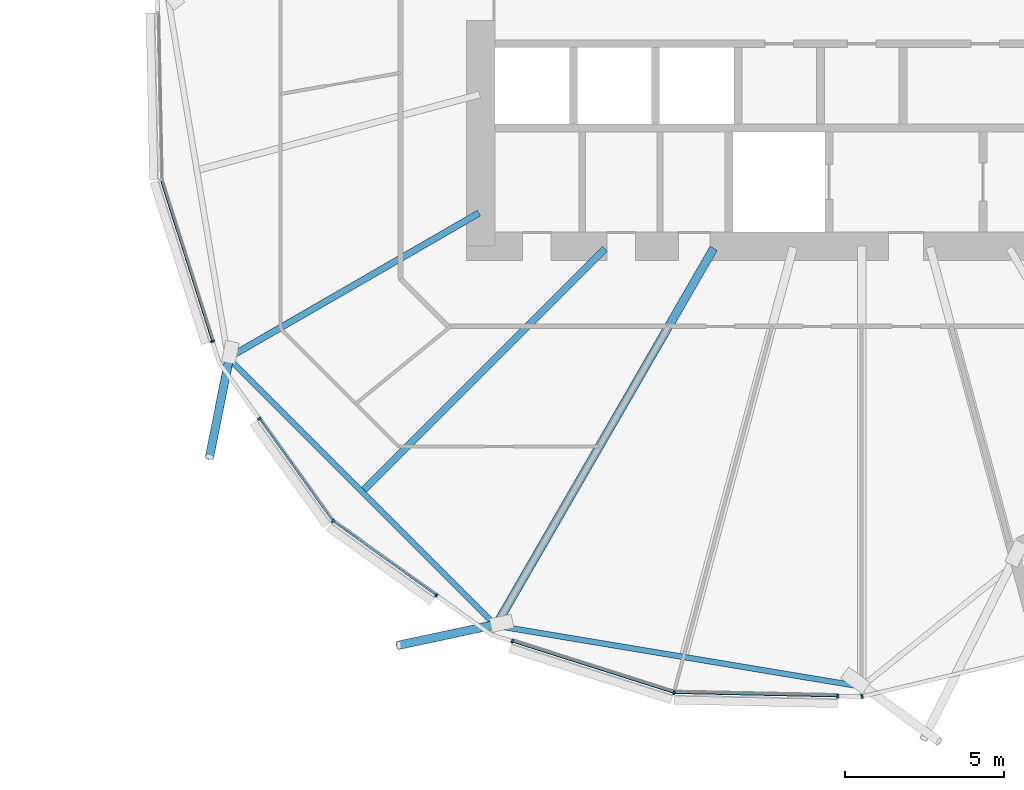
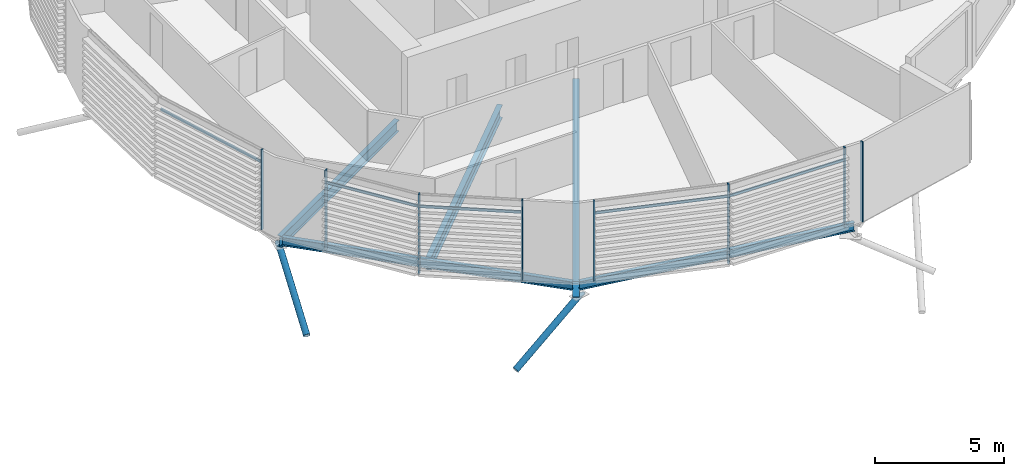
# One storey, part 11 of 38: 15 members, 5 beams, 1 element without a shape of its own.
"""IFC4 building model written with IfcOpenShell, lengths in metres."""

from ifc_helpers import new_model, si_unit, direction, frame, origin, origin_2d, place, context, subcontext, project, spatial, rectangle, hollow_circle, i_section, extrude, clip, halfspace, material, material_profile, profile_set, type_object, element, aggregate, save


model = new_model("IFC4")

# Units and contexts
model_context = context("Model", 3, precision=1e-05, world=origin(), true_north=direction((0.0, 1.0)))
body_context = subcontext(model_context, "Body", "Model", "MODEL_VIEW")
ifc_project = project(units=[si_unit("LENGTHUNIT", "METRE"), si_unit("AREAUNIT", "SQUARE_METRE"), si_unit("VOLUMEUNIT", "CUBIC_METRE"), si_unit("PLANEANGLEUNIT", "RADIAN"), si_unit("MASSUNIT", "GRAM", prefix="KILO")], contexts=[model_context])

# Site, building, storey
site_placement = place(None, origin())
site = spatial("IfcSite", under=ifc_project, at=site_placement, CompositionType="ELEMENT")
building_placement = place(site_placement, origin())
building = spatial("IfcBuilding", under=site, at=building_placement, Name="Rimbun Link Towers", CompositionType="ELEMENT")
storey_placement = place(building_placement, frame((0.0, 0.0, 71.800048828125)))
storey = spatial("IfcBuildingStorey", under=building, at=storey_placement, Name="L17", CompositionType="ELEMENT", Elevation=71.800048828125)

# Curtain wall, members
ifc_material_1 = material(Name="Aluminium 6063-T6 and low-iron glass", Category="aluminium")
curtain_wall_type = type_object("IfcCurtainWallType", Name="CW1 unitised vision wall", PredefinedType="NOTDEFINED", material=ifc_material_1)
curtain_wall_placement = place(storey_placement, origin())
curtain_wall = element("IfcCurtainWall", 1, at=curtain_wall_placement, inside=storey, type_object=curtain_wall_type, Name="CW1 L17 T2", PredefinedType="NOTDEFINED")
ifc_material_2 = material(Name="Aluminium 6063-T6", Category="aluminium")
ifc_material_profile_1 = material_profile(ifc_material_2, rectangle(XDim=0.1201171875, YDim=0.06005859375, at=origin_2d()), Name="MULLION 60X120")
ifc_profile_set_1 = profile_set([ifc_material_profile_1], Name="Aluminium 6063-T6")
member_type_1 = type_object("IfcMemberType", Name="CW1 mullion 60X120", PredefinedType="MULLION", material=ifc_profile_set_1)
member_1_placement = place(storey_placement, frame((11.30517578125, -10.99951171875, 0.0), z_axis=(0.0, 0.0, 1.0), x_axis=(-0.952969504125, -0.30306620433, 0.0)))
member_1 = element("IfcMember", 2, at=member_1_placement, type_object=member_type_1, Name="CW1 mullion", PredefinedType="MULLION", context=body_context, shape_type="SweptSolid", body=[
    extrude(rectangle(XDim=0.1201171875, YDim=0.06005859375, at=origin_2d()), origin(), (0.0, 0.0, 1.0), 3.800048828125),
])
member_2_placement = place(storey_placement, frame((15.094482421875, -16.655517578125, 0.0), z_axis=(0.0, 0.0, 1.0), x_axis=(-0.707106781187, -0.707106781187, 0.0)))
member_2 = element("IfcMember", 3, at=member_2_placement, type_object=member_type_1, Name="CW1 mullion", PredefinedType="MULLION", context=body_context, shape_type="SweptSolid", body=[
    extrude(rectangle(XDim=0.1201171875, YDim=0.06005859375, at=origin_2d()), origin(), (0.0, 0.0, 1.0), 3.800048828125),
])
member_3_placement = place(storey_placement, frame((12.779296875, -13.43017578125, 0.0), z_axis=(0.0, 0.0, 1.0), x_axis=(-0.812471013588, -0.583001588402, 0.0)))
member_3 = element("IfcMember", 4, at=member_3_placement, type_object=member_type_1, Name="CW1 mullion", PredefinedType="MULLION", context=body_context, shape_type="SweptSolid", body=[
    extrude(rectangle(XDim=0.1201171875, YDim=0.06005859375, at=origin_2d()), origin(), (0.0, 0.0, 1.0), 3.800048828125),
])
member_4_placement = place(storey_placement, frame((18.360595703125, -19.0, 0.0), z_axis=(0.0, 0.0, 1.0), x_axis=(-0.583001588402, -0.812471013588, 0.0)))
member_4 = element("IfcMember", 5, at=member_4_placement, type_object=member_type_1, Name="CW1 mullion", PredefinedType="MULLION", context=body_context, shape_type="SweptSolid", body=[
    extrude(rectangle(XDim=0.1201171875, YDim=0.06005859375, at=origin_2d()), origin(), (0.0, 0.0, 1.0), 3.800048828125),
])
member_5_placement = place(storey_placement, frame((25.843994140625, -22.06396484375, 0.0), z_axis=(0.0, 0.0, 1.0), x_axis=(-0.16374422533, -0.986502827503, 0.0)))
member_5 = element("IfcMember", 6, at=member_5_placement, type_object=member_type_1, Name="CW1 mullion", PredefinedType="MULLION", context=body_context, shape_type="SweptSolid", body=[
    extrude(rectangle(XDim=0.1201171875, YDim=0.06005859375, at=origin_2d()), origin(), (0.0, 0.0, 1.0), 3.800048828125),
])
member_6_placement = place(storey_placement, frame((20.75048828125, -20.44482421875, 0.0), z_axis=(0.0, 0.0, 1.0), x_axis=(-0.30306620433, -0.952969504125, 0.0)))
member_6 = element("IfcMember", 7, at=member_6_placement, type_object=member_type_1, Name="CW1 mullion", PredefinedType="MULLION", context=body_context, shape_type="SweptSolid", body=[
    extrude(rectangle(XDim=0.1201171875, YDim=0.06005859375, at=origin_2d()), origin(), (0.0, 0.0, 1.0), 3.800048828125),
])
member_7_placement = place(storey_placement, frame((30.9990234375, -22.173095703125, 0.0), z_axis=(0.0, 0.0, 1.0), x_axis=(-0.021059742681, -0.999778219026, 0.0)))
member_7 = element("IfcMember", 8, at=member_7_placement, type_object=member_type_1, Name="CW1 mullion", PredefinedType="MULLION", context=body_context, shape_type="SweptSolid", body=[
    extrude(rectangle(XDim=0.1201171875, YDim=0.06005859375, at=origin_2d()), origin(), (0.0, 0.0, 1.0), 3.800048828125),
])
member_8_placement = place(storey_placement, frame((31.763916015625, -22.187255859375, 0.0), z_axis=(0.0, 0.0, 1.0), x_axis=(0.232601207201, -0.972572197016, 0.0)))
member_8 = element("IfcMember", 9, at=member_8_placement, type_object=member_type_1, Name="CW1 mullion", PredefinedType="MULLION", context=body_context, shape_type="SweptSolid", body=[
    extrude(rectangle(XDim=0.1201171875, YDim=0.06005859375, at=origin_2d()), origin(), (0.0, 0.0, 1.0), 3.800048828125),
])
ifc_material_3 = material(Name="Aluminium 6063-T6", Category="aluminium")
ifc_material_profile_2 = material_profile(ifc_material_3, rectangle(XDim=0.06005859375, YDim=0.1201171875, at=origin_2d()), Name="TRANSOM 60X120")
ifc_profile_set_2 = profile_set([ifc_material_profile_2], Name="Aluminium 6063-T6")
member_type_2 = type_object("IfcMemberType", Name="CW1 transom 60X120", PredefinedType="USERDEFINED", material=ifc_profile_set_2)
member_9_placement = place(storey_placement, frame((11.298095703125, -10.97021484375, 3.199951171875), z_axis=(-0.303092876112, 0.952961021475, 0.0), x_axis=(-0.952961021475, -0.303092876112, 0.0)))
member_9 = element("IfcMember", 10, at=member_9_placement, type_object=member_type_2, Name="CW1 transom", ObjectType="TRANSOM", PredefinedType="USERDEFINED", context=body_context, shape_type="SweptSolid", body=[
    extrude(rectangle(XDim=0.06005859375, YDim=0.1201171875, at=origin_2d()), origin(), (0.0, 0.0, 1.0), 5.276123046875),
])
member_10_placement = place(storey_placement, frame((15.072265625, -16.62255859375, 3.199951171875), z_axis=(-0.582971655835, 0.812492491346, 0.0), x_axis=(-0.812492491346, -0.582971655835, 0.0)))
member_10 = element("IfcMember", 11, at=member_10_placement, type_object=member_type_2, Name="CW1 transom", ObjectType="TRANSOM", PredefinedType="USERDEFINED", context=body_context, shape_type="SweptSolid", body=[
    extrude(rectangle(XDim=0.06005859375, YDim=0.1201171875, at=origin_2d()), origin(), (0.0, 0.0, 1.0), 3.900634765625),
])
member_11_placement = place(storey_placement, frame((18.33740234375, -18.980712890625, 3.199951171875), z_axis=(-0.812516616043, 0.582938031574, 0.0), x_axis=(-0.582938031574, -0.812516616043, 0.0)))
member_11 = element("IfcMember", 12, at=member_11_placement, type_object=member_type_2, Name="CW1 transom", ObjectType="TRANSOM", PredefinedType="USERDEFINED", context=body_context, shape_type="SweptSolid", body=[
    extrude(rectangle(XDim=0.06005859375, YDim=0.1201171875, at=origin_2d()), origin(), (0.0, 0.0, 1.0), 3.95068359375),
])
member_12_placement = place(storey_placement, frame((25.8076171875, -22.051025390625, 3.199951171875), z_axis=(-0.952961021475, 0.303092876112, 0.0), x_axis=(-0.303092876112, -0.952961021475, 0.0)))
member_12 = element("IfcMember", 13, at=member_12_placement, type_object=member_type_2, Name="CW1 transom", ObjectType="TRANSOM", PredefinedType="USERDEFINED", context=body_context, shape_type="SweptSolid", body=[
    extrude(rectangle(XDim=0.06005859375, YDim=0.1201171875, at=origin_2d()), origin(), (0.0, 0.0, 1.0), 5.276123046875),
])
member_13_placement = place(storey_placement, frame((30.968994140625, -22.170654296875, 3.199951171875), z_axis=(-0.999778073515, 0.021066649432, 0.0), x_axis=(-0.021066649432, -0.999778073515, 0.0)))
member_13 = element("IfcMember", 14, at=member_13_placement, type_object=member_type_2, Name="CW1 transom", ObjectType="TRANSOM", PredefinedType="USERDEFINED", context=body_context, shape_type="SweptSolid", body=[
    extrude(rectangle(XDim=0.06005859375, YDim=0.1201171875, at=origin_2d()), origin(), (0.0, 0.0, 1.0), 5.087646484375),
])
aggregate(curtain_wall, [member_1, member_2, member_3, member_4, member_5, member_6, member_7, member_8, member_9, member_10, member_11, member_12, member_13])

# Members
ifc_material_4 = material(Name="Steel S355J2H", Category="steel")
ifc_material_profile_3 = material_profile(ifc_material_4, hollow_circle(Radius=0.136474609375, WallThickness=0.012451171875, at=origin_2d()), Name="CHS 273x12.5")
ifc_profile_set_3 = profile_set([ifc_material_profile_3], Name="Steel S355J2H")
member_type_3 = type_object("IfcMemberType", Name="Floor edge link CHS 273x12.5", PredefinedType="BRACE", material=ifc_profile_set_3)
member_14_placement = place(storey_placement, frame((11.839599609375, -11.495361328125, -0.8095703125), z_axis=(-0.166274405104, -0.834148646652, -0.525879128219), x_axis=(0.980706031081, -0.195488313209, 0.0)))
element("IfcMember", 15, at=member_14_placement, inside=storey, type_object=member_type_3, Name="Floor edge link T2 L17 11", PredefinedType="BRACE", context=body_context, shape_type="Clipping", body=[
    clip(extrude(hollow_circle(Radius=0.136474609375, WallThickness=0.012451171875, at=origin_2d()), frame((0.0, 0.0, -0.460693359375)), (0.0, 0.0, 1.0), 4.241455078125), halfspace(frame((0.0, 0.0, -0.217529296875), z_axis=(0.0, 0.850559311573, -0.525879128219)), False)),
])
member_15_placement = place(storey_placement, frame((20.254638671875, -19.910400390625, -1.039794921875), z_axis=(-0.840867888406, -0.179570004253, -0.510583791185), x_axis=(0.20884409898, -0.977948946684, 0.0)))
element("IfcMember", 16, at=member_15_placement, inside=storey, type_object=member_type_3, Name="Floor edge link T2 L17 13", PredefinedType="BRACE", context=body_context, shape_type="Clipping", body=[
    clip(extrude(hollow_circle(Radius=0.136474609375, WallThickness=0.012451171875, at=origin_2d()), frame((0.0, 0.0, -0.479248046875)), (0.0, 0.0, 1.0), 4.15966796875), halfspace(frame((0.0, 0.0, -0.226318359375), z_axis=(0.0, 0.859828001509, -0.510583791185)), False)),
])

# Beams
ifc_material_5 = material(Name="Steel S355J2", Category="steel")
ifc_material_profile_4 = material_profile(ifc_material_5, i_section(OverallWidth=0.177978515625, OverallDepth=0.406494140625, WebThickness=0.0078125, FlangeThickness=0.0126953125, at=origin_2d()), Name="UB 406x178x60")
ifc_profile_set_4 = profile_set([ifc_material_profile_4], Name="Steel S355J2")
beam_type_1 = type_object("IfcBeamType", Name="UB 406x178x60", PredefinedType="BEAM", material=ifc_profile_set_4)
beam_1_placement = place(storey_placement, frame((11.87353515625, -11.59765625, -0.36328125), z_axis=(0.707106781187, -0.707106781187, 0.0), x_axis=(0.707106781187, 0.707106781187, 0.0)))
element("IfcBeam", 17, at=beam_1_placement, inside=storey, type_object=beam_type_1, Name="Edge beam T2 L17 11-13", PredefinedType="BEAM", context=body_context, shape_type="SweptSolid", body=[
    extrude(i_section(OverallWidth=0.177978515625, OverallDepth=0.406494140625, WebThickness=0.0078125, FlangeThickness=0.0126953125, at=origin_2d()), origin(), (0.0, 0.0, 1.0), 11.67822265625),
])
beam_2_placement = place(storey_placement, frame((20.37109375, -19.977294921875, -0.36328125), z_axis=(0.986419380736, -0.164246172888, 0.0), x_axis=(0.164246172888, 0.986419380736, 0.0)))
element("IfcBeam", 18, at=beam_2_placement, inside=storey, type_object=beam_type_1, Name="Edge beam T2 L17 13-15", PredefinedType="BEAM", context=body_context, shape_type="SweptSolid", body=[
    extrude(i_section(OverallWidth=0.177978515625, OverallDepth=0.406494140625, WebThickness=0.0078125, FlangeThickness=0.0126953125, at=origin_2d()), origin(), (0.0, 0.0, 1.0), 11.3994140625),
])
ifc_material_6 = material(Name="Steel S355J2", Category="steel")
ifc_material_profile_5 = material_profile(ifc_material_6, i_section(OverallWidth=0.209228515625, OverallDepth=0.533203125, WebThickness=0.010009765625, FlangeThickness=0.015625, at=origin_2d()), Name="UB 533x210x92")
ifc_profile_set_5 = profile_set([ifc_material_profile_5], Name="Steel S355J2")
beam_type_2 = type_object("IfcBeamType", Name="UB 533x210x92", PredefinedType="BEAM", material=ifc_profile_set_5)
beam_3_placement = place(storey_placement, frame((19.69677734375, -6.958984375, -0.426513671875), z_axis=(-0.866021140091, -0.50000738486, 0.0), x_axis=(0.50000738486, -0.866021140091, 0.0)))
element("IfcBeam", 19, at=beam_3_placement, inside=storey, type_object=beam_type_2, Name="Radial beam T2 L17 11", PredefinedType="BEAM", context=body_context, shape_type="SweptSolid", body=[
    extrude(i_section(OverallWidth=0.209228515625, OverallDepth=0.533203125, WebThickness=0.010009765625, FlangeThickness=0.015625, at=origin_2d()), origin(), (0.0, 0.0, 1.0), 9.122802734375),
])
ifc_material_7 = material(Name="Steel S355J2", Category="steel")
ifc_material_profile_6 = material_profile(ifc_material_7, i_section(OverallWidth=0.2275390625, OverallDepth=0.6025390625, WebThickness=0.010498046875, FlangeThickness=0.014892578125, at=origin_2d()), Name="UB 610x229x101")
ifc_profile_set_6 = profile_set([ifc_material_profile_6], Name="Steel S355J2")
beam_type_3 = type_object("IfcBeamType", Name="UB 610x229x101", PredefinedType="BEAM", material=ifc_profile_set_6)
beam_4_placement = place(storey_placement, frame((23.668701171875, -8.081298828125, -0.46142578125), z_axis=(-0.707106781187, -0.707106781187, 0.0), x_axis=(0.707106781187, -0.707106781187, 0.0)))
element("IfcBeam", 20, at=beam_4_placement, inside=storey, type_object=beam_type_3, Name="Radial beam T2 L17 12", PredefinedType="BEAM", context=body_context, shape_type="SweptSolid", body=[
    extrude(i_section(OverallWidth=0.2275390625, OverallDepth=0.6025390625, WebThickness=0.010498046875, FlangeThickness=0.014892578125, at=origin_2d()), origin(), (0.0, 0.0, 1.0), 10.737060546875),
])
ifc_material_8 = material(Name="Steel S355J2", Category="steel")
ifc_material_profile_7 = material_profile(ifc_material_8, i_section(OverallWidth=0.2666015625, OverallDepth=0.76220703125, WebThickness=0.014404296875, FlangeThickness=0.021484375, at=origin_2d()), Name="UB 762x267x173")
ifc_profile_set_7 = profile_set([ifc_material_profile_7], Name="Steel S355J2")
beam_type_4 = type_object("IfcBeamType", Name="UB 762x267x173", PredefinedType="BEAM", material=ifc_profile_set_7)
beam_5_placement = place(storey_placement, frame((27.09228515625, -8.0673828125, -0.541259765625), z_axis=(-0.500007303237, -0.866021187218, 0.0), x_axis=(0.866021187218, -0.500007303237, 0.0)))
element("IfcBeam", 21, at=beam_5_placement, inside=storey, type_object=beam_type_4, Name="Radial beam T2 L17 13", PredefinedType="BEAM", context=body_context, shape_type="SweptSolid", body=[
    extrude(i_section(OverallWidth=0.2666015625, OverallDepth=0.76220703125, WebThickness=0.014404296875, FlangeThickness=0.021484375, at=origin_2d()), origin(), (0.0, 0.0, 1.0), 13.725341796875),
])

save(model, "model.ifc")
